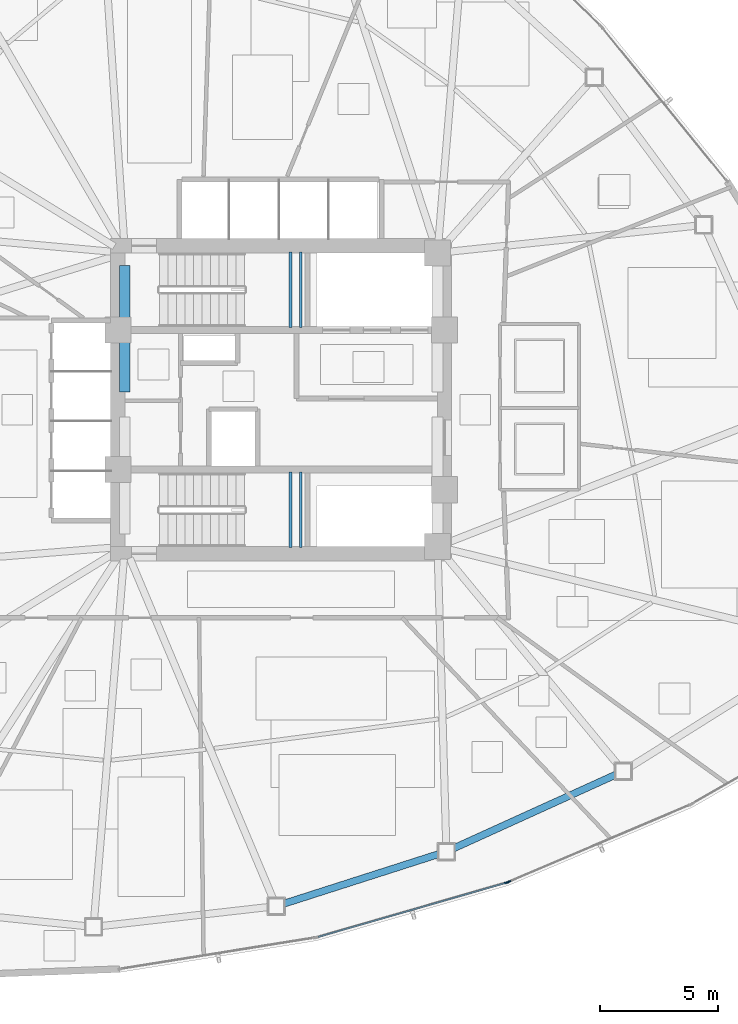
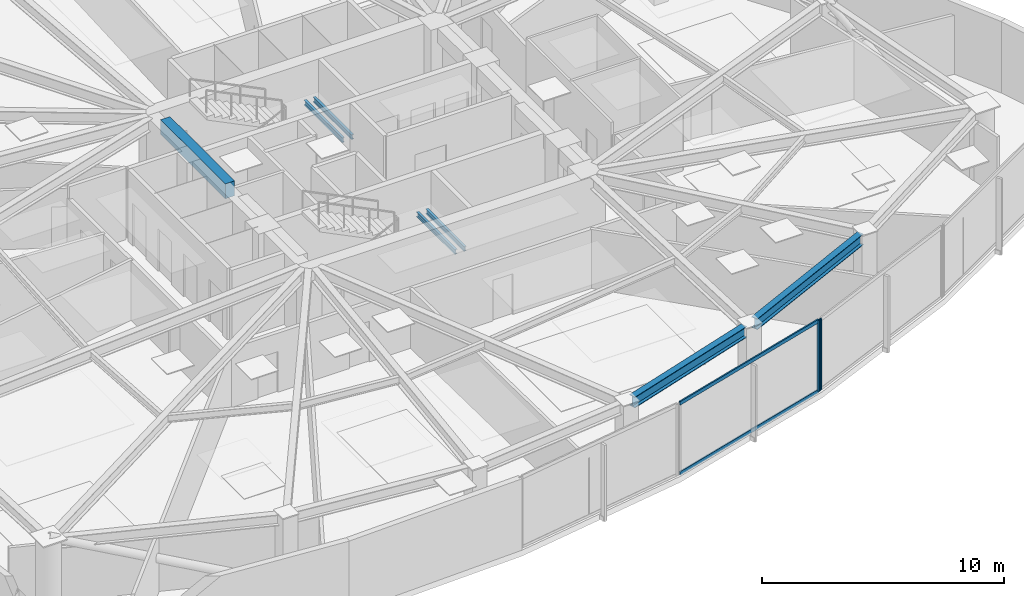
# One storey, part 5 of 17: 7 beams, 4 members, 2 elements without a shape of their own.
"""IFC4 building model written with IfcOpenShell, lengths in metres."""

from ifc_helpers import new_model, si_unit, direction, frame, origin, origin_2d, place, context, subcontext, project, spatial, rectangle, hollow_rectangle, i_section, extrude, source, transform, mapped, material, layer, layer_set, material_profile, profile_set, type_object, type_shapes, element, aggregate, save


model = new_model("IFC4")

# Units and contexts
model_context = context("Model", 3, precision=1e-05, world=origin(), true_north=direction((0.0, 1.0)))
body_context = subcontext(model_context, "Body", "Model", "MODEL_VIEW")
ifc_project = project(units=[si_unit("LENGTHUNIT", "METRE"), si_unit("AREAUNIT", "SQUARE_METRE"), si_unit("VOLUMEUNIT", "CUBIC_METRE"), si_unit("PLANEANGLEUNIT", "RADIAN"), si_unit("MASSUNIT", "GRAM", prefix="KILO")], contexts=[model_context])

# Site, building, storey
site_placement = place(None, origin())
site = spatial("IfcSite", under=ifc_project, at=site_placement, CompositionType="ELEMENT")
building_placement = place(site_placement, origin())
building = spatial("IfcBuilding", under=site, at=building_placement, Name="Tavelor Broadcast Tower", CompositionType="ELEMENT")
storey_placement = place(building_placement, frame((0.0, 0.0, 78.300048828125)))
storey = spatial("IfcBuildingStorey", under=building, at=storey_placement, Name="L18", CompositionType="ELEMENT", Elevation=78.300048828125)

# Beams
ifc_material_1 = material(Name="Concrete C40/50", Category="concrete")
ifc_material_profile_1 = material_profile(ifc_material_1, rectangle(XDim=0.449951171875, YDim=0.75, at=origin_2d()), Name="RC 450x750")
ifc_profile_set_1 = profile_set([ifc_material_profile_1], Name="Concrete C40/50")
beam_type_1 = type_object("IfcBeamType", Name="Basement Core Trim Beam 450x750", PredefinedType="BEAM", material=ifc_profile_set_1)
beam_1_placement = place(storey_placement, frame((43.39990234375, 45.327880859375, 3.224853515625), z_axis=(0.0, 1.0, 0.0), x_axis=(-1.0, 0.0, 0.0)))
element("IfcBeam", 1, at=beam_1_placement, inside=storey, type_object=beam_type_1, Name="L18 Core West-N Tie Girder", PredefinedType="BEAM", context=body_context, shape_type="SweptSolid", body=[
    extrude(rectangle(XDim=0.449951171875, YDim=0.75, at=origin_2d()), origin(), (0.0, 0.0, 1.0), 5.34423828125),
])
ifc_material_2 = material(Name="Steel S355", Category="steel")
ifc_material_profile_2 = material_profile(ifc_material_2, i_section(OverallWidth=0.300048828125, OverallDepth=0.550048828125, WebThickness=0.014892578125, FlangeThickness=0.029052734375, at=origin_2d()), Name="HEB 550")
ifc_profile_set_2 = profile_set([ifc_material_profile_2], Name="Steel S355")
beam_type_2 = type_object("IfcBeamType", Name="Perimeter Spandrel Beam T2 HEB 550", PredefinedType="SPANDREL", material=ifc_profile_set_2)
beam_2_placement = place(storey_placement, frame((50.106689453125, 23.720458984375, 3.324951171875), z_axis=(0.952297103541, 0.305172453849, 0.0), x_axis=(-0.305172453849, 0.952297103541, 0.0)))
element("IfcBeam", 2, at=beam_2_placement, inside=storey, type_object=beam_type_2, Name="L18 Framed-Tube Ring Spandrel 10", PredefinedType="SPANDREL", context=body_context, shape_type="SweptSolid", body=[
    extrude(i_section(OverallWidth=0.300048828125, OverallDepth=0.550048828125, WebThickness=0.014892578125, FlangeThickness=0.029052734375, at=origin_2d()), origin(), (0.0, 0.0, 1.0), 6.876953125),
])
beam_3_placement = place(storey_placement, frame((57.28125, 26.060546875, 3.324951171875), z_axis=(0.910420869291, 0.413683261395, 0.0), x_axis=(-0.413683261395, 0.910420869291, 0.0)))
element("IfcBeam", 3, at=beam_3_placement, inside=storey, type_object=beam_type_2, Name="L18 Framed-Tube Ring Spandrel 11", PredefinedType="SPANDREL", context=body_context, shape_type="SweptSolid", body=[
    extrude(i_section(OverallWidth=0.300048828125, OverallDepth=0.550048828125, WebThickness=0.014892578125, FlangeThickness=0.029052734375, at=origin_2d()), origin(), (0.0, 0.0, 1.0), 7.531005859375),
])
ifc_material_profile_3 = material_profile(ifc_material_2, i_section(OverallWidth=0.1201171875, OverallDepth=0.239990234375, WebThickness=0.006103515625, FlangeThickness=0.009765625, at=origin_2d()), Name="IPE 240")
ifc_profile_set_3 = profile_set([ifc_material_profile_3], Name="Steel S355")
beam_type_3 = type_object("IfcBeamType", Name="Stairwell Landing Support Trimmer Beam IPE240", PredefinedType="BEAM", material=ifc_profile_set_3)
for number, where, z_axis, x_axis, name in (
    (4, (50.385009765625, 48.06005859375, 1.635009765625), (0.0, 1.0, 0.0), (-1.0, 0.0, 0.0), "L18 Stair Landing Support Beam 61"),
    (5, (50.824951171875, 48.06005859375, 1.635009765625), (0.0, 1.0, 0.0), (-1.0, 0.0, 0.0), "L18 Stair Landing Support Beam 62"),
    (6, (50.385009765625, 38.760009765625, 1.635009765625), (0.0, 1.0, 0.0), (-1.0, 0.0, 0.0), "L18 Stair Landing Support Beam 275"),
    (7, (50.824951171875, 38.760009765625, 1.635009765625), (0.0, 1.0, 0.0), (-1.0, 0.0, 0.0), "L18 Stair Landing Support Beam 276"),
):
    element("IfcBeam", number, at=place(storey_placement, frame(where, z_axis=z_axis, x_axis=x_axis)), inside=storey, type_object=beam_type_3, Name=name, PredefinedType="BEAM", context=body_context, shape_type="SweptSolid", body=[
        extrude(i_section(OverallWidth=0.1201171875, OverallDepth=0.239990234375, WebThickness=0.006103515625, FlangeThickness=0.009765625, at=origin_2d()), origin(), (0.0, 0.0, 1.0), 3.179931640625),
    ])

# Curtain wall, member
ifc_material_3 = material(Name="Architectural Anodized Aluminium", Category="aluminium")
ifc_layer = layer(ifc_material_3, 0.179931640625)
ifc_layer_set = layer_set([ifc_layer], Name="Architectural Anodized Aluminium")
curtain_wall_type = type_object("IfcCurtainWallType", Name="Tower Low-Zone Unitised Curtain Wall CW02", PredefinedType="NOTDEFINED", material=ifc_layer_set)
curtain_wall_1_placement = place(storey_placement, origin())
curtain_wall_1 = element("IfcCurtainWall", 8, at=curtain_wall_1_placement, inside=storey, type_object=curtain_wall_type, Name="L18 Curtain Wall CW02 Run 174", PredefinedType="NOTDEFINED")
ifc_material_profile_4 = material_profile(ifc_material_3, hollow_rectangle(XDim=0.06494140625, YDim=0.179931640625, WallThickness=0.02197265625, at=origin_2d()), Name="RHS 65x180x22")
ifc_profile_set_4 = profile_set([ifc_material_profile_4], Name="Architectural Anodized Aluminium")
member_type_1 = type_object("IfcMemberType", Name="CW02 Extruded Aluminium Mullion 65x180", PredefinedType="MULLION", material=ifc_profile_set_4)
shared_shape_1 = source(origin(), body_context, "Body", "SweptSolid", [
    extrude(hollow_rectangle(XDim=0.06494140625, YDim=0.179931640625, WallThickness=0.02197265625, at=origin_2d()), origin(), (0.0, 0.0, 1.0), 3.599853515625),
])
type_shapes(member_type_1, [shared_shape_1])
member_1_placement = place(storey_placement, frame((59.515380859375, 24.611572265625, 0.0), z_axis=(0.0, 0.0, 1.0), x_axis=(-0.276892586143, 0.960900877166, 0.0)))
member_1 = element("IfcMember", 9, at=member_1_placement, type_object=member_type_1, Name="CW02 mullion 2", PredefinedType="MULLION", context=body_context, shape_type="MappedRepresentation", body=[
    mapped(shared_shape_1, transform((0.0, 0.0, 0.0), scale=1.0)),
])

curtain_wall_2_placement = place(storey_placement, origin())
curtain_wall_2 = element("IfcCurtainWall", 10, at=curtain_wall_2_placement, inside=storey, type_object=curtain_wall_type, Name="L18 Curtain Wall CW02 Run 175", PredefinedType="NOTDEFINED")
member_2_placement = place(storey_placement, frame((59.604736328125, 24.643310546875, 0.0), z_axis=(0.0, 0.0, 1.0), x_axis=(-0.391161096286, 0.920322224415, 0.0)))
member_2 = element("IfcMember", 11, at=member_2_placement, type_object=member_type_1, Name="CW02 mullion 1", PredefinedType="MULLION", context=body_context, shape_type="MappedRepresentation", body=[
    mapped(shared_shape_1, transform((0.0, 0.0, 0.0), scale=1.0)),
])
aggregate(curtain_wall_2, [member_2])

# Member
ifc_material_profile_5 = material_profile(ifc_material_3, hollow_rectangle(XDim=0.06494140625, YDim=0.179931640625, WallThickness=0.02197265625, at=origin_2d()), Name="RHS 65x180x22")
ifc_profile_set_5 = profile_set([ifc_material_profile_5], Name="Architectural Anodized Aluminium")
member_type_2 = type_object("IfcMemberType", Name="CW02 Extruded Aluminium Transom 65x180", PredefinedType="USERDEFINED", material=ifc_profile_set_5)
shared_shape_2 = source(origin(), body_context, "Body", "SweptSolid", [
    extrude(hollow_rectangle(XDim=0.06494140625, YDim=0.179931640625, WallThickness=0.02197265625, at=origin_2d()), origin(), (0.0, 0.0, 1.0), 8.2548828125),
])
type_shapes(member_type_2, [shared_shape_2])
member_3_placement = place(storey_placement, frame((51.552001953125, 22.31689453125, 0.032470703125), z_axis=(0.960903220157, 0.276884455128, 0.0), x_axis=(-0.276884455128, 0.960903220157, 0.0)))
member_3 = element("IfcMember", 12, at=member_3_placement, type_object=member_type_2, Name="CW02 transom 1.1", ObjectType="TRANSOM", PredefinedType="USERDEFINED", context=body_context, shape_type="MappedRepresentation", body=[
    mapped(shared_shape_2, transform((0.0, 0.0, 0.0), scale=1.0)),
])

member_4_placement = place(storey_placement, frame((51.552001953125, 22.31689453125, 3.5673828125), z_axis=(0.960903220157, 0.276884455128, 0.0), x_axis=(-0.276884455128, 0.960903220157, 0.0)))
member_4 = element("IfcMember", 13, at=member_4_placement, type_object=member_type_2, Name="CW02 transom 1.2", ObjectType="TRANSOM", PredefinedType="USERDEFINED", context=body_context, shape_type="MappedRepresentation", body=[
    mapped(shared_shape_2, transform((0.0, 0.0, 0.0), scale=1.0)),
])

aggregate(curtain_wall_1, [member_1, member_3, member_4])

save(model, "model.ifc")
